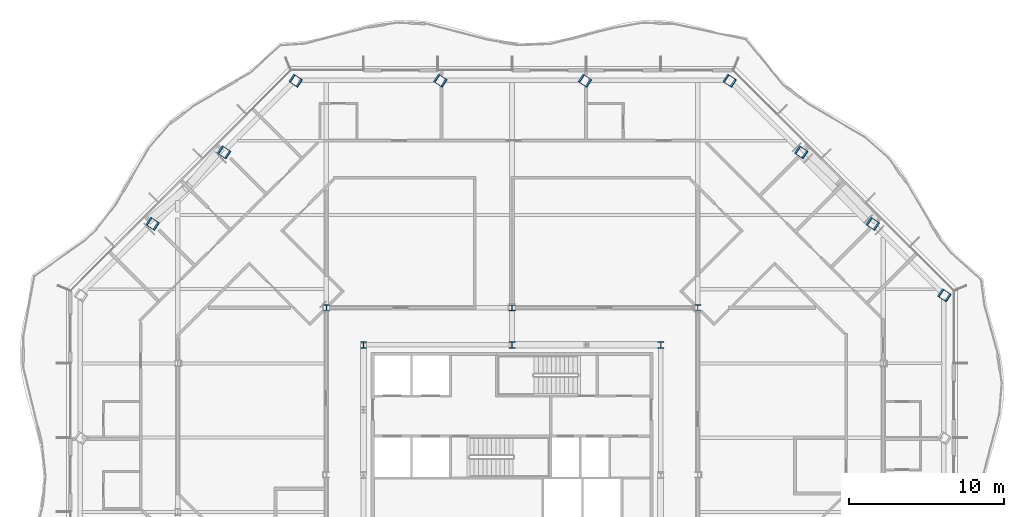
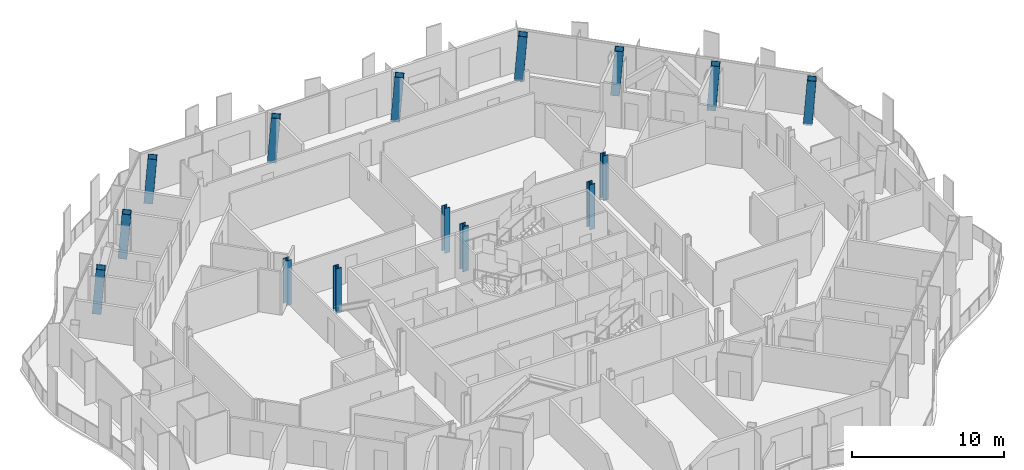
# One storey, part 2 of 21: 15 columns.
"""IFC4 building model written with IfcOpenShell, lengths in metres."""

import ifcopenshell
import ifcopenshell.guid

model = None  # the IFC model being written
_history = None  # IfcOwnerHistory: only IFC2X3 demands one
_inside = {}  # id of a spatial element -> (the spatial element, [elements in it])
_under = {}  # id of a project, library or spatial element -> (it, [spatial elements below it])
_declared = {}  # id of a project -> (the project, [libraries it declares])
_typed = {}  # id of a type object -> (the type object, [elements of that type])
_made_of = {}  # id of a material, layer set ... -> (it, [elements and type objects made of it])


def new_model(schema):
    """Start an empty IFC model of exactly this schema.

    Asked for "IFC4X3", IfcOpenShell would pick the latest addendum, in which some entities
    have other attributes; the version numbers below select the first issue.
    IFC2X3 requires an IfcOwnerHistory on every rooted entity: one is made here for all.
    """
    global model, _history
    if schema == "IFC4X3":
        model = ifcopenshell.file(schema_version=(4, 3, 0, 0))
    else:
        model = ifcopenshell.file(schema=schema)
    _inside.clear()
    _under.clear()
    _declared.clear()
    _typed.clear()
    _made_of.clear()
    _history = None
    if model.schema == "IFC2X3":
        org = make("IfcOrganization", Name="unknown")
        user = make(
            "IfcPersonAndOrganization",
            ThePerson=make("IfcPerson", FamilyName="unknown"),
            TheOrganization=org,
        )
        app = make(
            "IfcApplication",
            ApplicationDeveloper=org,
            Version="unknown",
            ApplicationFullName="unknown",
            ApplicationIdentifier="unknown",
        )
        _history = make(
            "IfcOwnerHistory",
            OwningUser=user,
            OwningApplication=app,
            ChangeAction="ADDED",
            CreationDate=0,
        )
    return model


def make(cls, **values):
    """One entity of the class cls with the attributes given. An attribute that is None is left unset."""
    return model.create_entity(
        cls, **{name: value for name, value in values.items() if value is not None}
    )


def rooted(cls, **values):
    """An entity with a GlobalId (a new one), such as an element, a storey or a relation."""
    return make(cls, GlobalId=ifcopenshell.guid.new(), OwnerHistory=_history, **values)


def si_unit(unit_type, name, prefix=None):
    """IfcSIUnit, for example si_unit("LENGTHUNIT", "METRE", prefix="MILLI")."""
    return make("IfcSIUnit", UnitType=unit_type, Prefix=prefix, Name=name)


def assignment(units):
    """IfcUnitAssignment: the units of a project."""
    return None if units is None else make("IfcUnitAssignment", Units=units)


def point(xyz):
    """IfcCartesianPoint."""
    return None if xyz is None else make("IfcCartesianPoint", Coordinates=xyz)


def direction(xyz):
    """IfcDirection."""
    return None if xyz is None else make("IfcDirection", DirectionRatios=xyz)


def frame(location, z_axis=None, x_axis=None):
    """IfcAxis2Placement3D, a coordinate frame: its origin and axes. An axis left out is left unset."""
    return make(
        "IfcAxis2Placement3D",
        Location=point(location),
        Axis=direction(z_axis),
        RefDirection=direction(x_axis),
    )


def frame_2d(location, x_axis=None):
    """IfcAxis2Placement2D, a coordinate frame in the plane: its origin and x axis."""
    return make(
        "IfcAxis2Placement2D", Location=point(location), RefDirection=direction(x_axis)
    )


def origin():
    """The frame at (0, 0, 0) with its axes left unset."""
    return frame((0.0, 0.0, 0.0))


def origin_2d():
    """The frame at (0, 0) in the plane with its x axis left unset."""
    return frame_2d((0.0, 0.0))


def place(relative_to, where):
    """IfcLocalPlacement: puts the frame where relative to a parent placement (None: the world)."""
    return make(
        "IfcLocalPlacement", PlacementRelTo=relative_to, RelativePlacement=where
    )


def context(
    kind, dimensions, precision=None, world=None, true_north=None, identifier=None
):
    """IfcGeometricRepresentationContext, for example the 3D "Model" context."""
    return make(
        "IfcGeometricRepresentationContext",
        ContextIdentifier=identifier,
        ContextType=kind,
        CoordinateSpaceDimension=dimensions,
        Precision=precision,
        WorldCoordinateSystem=world,
        TrueNorth=true_north,
    )


def subcontext(parent, identifier, kind, view, scale=None):
    """IfcGeometricRepresentationSubContext, for example "Body" below "Model"."""
    return make(
        "IfcGeometricRepresentationSubContext",
        ContextIdentifier=identifier,
        ContextType=kind,
        ParentContext=parent,
        TargetScale=scale,
        TargetView=view,
    )


def project(units=None, contexts=None):
    """IfcProject with its units and contexts."""
    return rooted(
        "IfcProject",
        Name="project",
        RepresentationContexts=contexts,
        UnitsInContext=assignment(units),
    )


def spatial(cls, under=None, at=None, **own):
    """A site, building, storey or space (cls), placed at a placement, below another one or the project."""
    s = rooted(cls, ObjectPlacement=at, **own)
    if under is not None:
        _under.setdefault(under.id(), (under, []))[1].append(s)
    return s


def profile(cls, at=None, kind="AREA", **sizes):
    """A parametric profile (cls). Its sizes go by their IFC names, for example OverallWidth=200.0."""
    return make(cls, ProfileType=kind, Position=at, **sizes)


def hollow_rectangle(**sizes):
    """IfcRectangleHollowProfileDef."""
    return profile("IfcRectangleHollowProfileDef", **sizes)


def i_section(**sizes):
    """IfcIShapeProfileDef."""
    return profile("IfcIShapeProfileDef", **sizes)


def extrude(swept, where, along, depth):
    """IfcExtrudedAreaSolid: the profile swept, set in the frame where, extruded along a direction by depth."""
    return make(
        "IfcExtrudedAreaSolid",
        SweptArea=swept,
        Position=where,
        ExtrudedDirection=direction(along),
        Depth=depth,
    )


def clip(a, b, op="DIFFERENCE"):
    """IfcBooleanClippingResult: the solid a cut by the half space b."""
    return make(
        "IfcBooleanClippingResult", Operator=op, FirstOperand=a, SecondOperand=b
    )


def halfspace(plane, agree):
    """IfcHalfSpaceSolid: all space on one side of the plane z = 0 of the frame plane."""
    return make(
        "IfcHalfSpaceSolid",
        BaseSurface=make("IfcPlane", Position=plane),
        AgreementFlag=agree,
    )


def shape(context_of_items, identifier, shape_type, items):
    """IfcShapeRepresentation: the items that make up one representation, for example the "Body"."""
    return make(
        "IfcShapeRepresentation",
        ContextOfItems=context_of_items,
        RepresentationIdentifier=identifier,
        RepresentationType=shape_type,
        Items=items,
    )


def material(Name=None, Category=None):
    """IfcMaterial."""
    return make("IfcMaterial", Name=Name, Category=Category)


def material_profile(
    of_material, cross_section, Name=None, Category=None, Priority=None
):
    """IfcMaterialProfile: a cross section and its material."""
    return make(
        "IfcMaterialProfile",
        Name=Name,
        Material=of_material,
        Profile=cross_section,
        Priority=Priority,
        Category=Category,
    )


def profile_set(profiles, Name=None, composite=None):
    """IfcMaterialProfileSet."""
    return make(
        "IfcMaterialProfileSet",
        Name=Name,
        MaterialProfiles=profiles,
        CompositeProfile=composite,
    )


def made_of(thing, what):
    """Note that an element or type object is made of a material, layer set ...; save() writes the relation."""
    if what is not None:
        _made_of.setdefault(what.id(), (what, []))[1].append(thing)
    return thing


def type_object(cls, material=None, **own):
    """A type object (cls), such as IfcWallType, which elements share."""
    return made_of(rooted(cls, **own), material)


def element(
    cls,
    number,
    at=None,
    inside=None,
    cuts=None,
    type_object=None,
    material=None,
    context=None,
    identifier="Body",
    shape_type=None,
    held_by="IfcProductDefinitionShape",
    body=None,
    shapes=None,
    **own,
):
    """One element of the class cls, such as IfcWall. Its Tag is "e" and its number.

    at: its placement. inside: the storey or other place that contains it. cuts: it is an
    opening in that element (IfcRelVoidsElement). A single representation is given by context,
    identifier, shape_type and body (its items); several are given by shapes. held_by: the class
    of the entity that holds the representations. save() writes the other relations.
    """
    e = rooted(cls, Tag="e%d" % number, ObjectPlacement=at, **own)
    if body is not None:
        shapes = [shape(context, identifier, shape_type, body)]
    if shapes is not None:
        e.Representation = make(held_by, Representations=shapes)
    if inside is not None:
        _inside.setdefault(inside.id(), (inside, []))[1].append(e)
    if cuts is not None:
        rooted(
            "IfcRelVoidsElement", RelatingBuildingElement=cuts, RelatedOpeningElement=e
        )
    if type_object is not None:
        _typed.setdefault(type_object.id(), (type_object, []))[1].append(e)
    return made_of(e, material)


def aggregate(whole, parts):
    """IfcRelAggregates: a whole, such as a stair, and the parts it consists of."""
    return rooted("IfcRelAggregates", RelatingObject=whole, RelatedObjects=parts)


def save(model, path):
    """Write the relations noted so far, then the file.

    IfcRelAggregates (storeys below a building ...), IfcRelContainedInSpatialStructure (elements
    in a storey), IfcRelDefinesByType, IfcRelAssociatesMaterial and IfcRelDeclares: one each for
    every whole, place, type object, material and project.
    """
    for whole, parts in _under.values():
        aggregate(whole, parts)
    for where, things in _inside.values():
        rooted(
            "IfcRelContainedInSpatialStructure",
            RelatedElements=things,
            RelatingStructure=where,
        )
    for kind, things in _typed.values():
        rooted("IfcRelDefinesByType", RelatedObjects=things, RelatingType=kind)
    for what, things in _made_of.values():
        rooted("IfcRelAssociatesMaterial", RelatedObjects=things, RelatingMaterial=what)
    for by, libraries in _declared.values():
        rooted("IfcRelDeclares", RelatingContext=by, RelatedDefinitions=libraries)
    model.write(path)


model = new_model("IFC4")

# Units and contexts
model_context = context("Model", 3, precision=1e-05, world=origin(), true_north=direction((0.0, 1.0)))
body_context = subcontext(model_context, "Body", "Model", "MODEL_VIEW")
ifc_project = project(units=[si_unit("LENGTHUNIT", "METRE"), si_unit("AREAUNIT", "SQUARE_METRE"), si_unit("VOLUMEUNIT", "CUBIC_METRE"), si_unit("PLANEANGLEUNIT", "RADIAN"), si_unit("MASSUNIT", "GRAM", prefix="KILO")], contexts=[model_context])

# Site, building, storey
site_placement = place(None, origin())
site = spatial("IfcSite", under=ifc_project, at=site_placement, CompositionType="ELEMENT")
building_placement = place(site_placement, origin())
building = spatial("IfcBuilding", under=site, at=building_placement, Name="Cairn Pilgrim Tower", CompositionType="ELEMENT")
storey_placement = place(building_placement, frame((0.0, 0.0, 172.199951171875)))
storey = spatial("IfcBuildingStorey", under=building, at=storey_placement, Name="L43", CompositionType="ELEMENT", Elevation=172.199951171875)

# Columns
ifc_material_1 = material(Name="Structural steel S460M", Category="steel")
ifc_material_profile_1 = material_profile(ifc_material_1, hollow_rectangle(XDim=0.60009765625, YDim=0.60009765625, WallThickness=0.034912109375, at=origin_2d()), Name="BOX 600x600x35")
ifc_profile_set_1 = profile_set([ifc_material_profile_1], Name="Structural steel S460M")
column_type_1 = type_object("IfcColumnType", Name="BOX 600x600x35", PredefinedType="COLUMN", material=ifc_profile_set_1)
column_1_placement = place(storey_placement, frame((35.10009765625, 14.027099609375, -0.14990234375), z_axis=(0.062286590776, -0.041524393851, 0.99719411617), x_axis=(0.554700196225, 0.832050294338, 0.0)))
element("IfcColumn", 1, at=column_1_placement, inside=storey, type_object=column_type_1, Name="PC2-NE1", PredefinedType="COLUMN", context=body_context, shape_type="Clipping", body=[
    clip(clip(extrude(hollow_rectangle(XDim=0.60009765625, YDim=0.60009765625, WallThickness=0.034912109375, at=origin_2d()), origin(), (0.0, 0.0, 1.0), 3.60986328125), halfspace(frame((0.0, 0.0, 0.01123046875), z_axis=(0.0, 0.0, 1.0), x_axis=(1.0, 0.0, 0.0)), True)), halfspace(frame((0.0, 0.0, 3.587890625), z_axis=(0.0, 0.0, 1.0), x_axis=(1.0, 0.0, 0.0)), False)),
])
column_2_placement = place(storey_placement, frame((30.4755859375, 18.651611328125, -0.14990234375), z_axis=(0.062353782033, -0.041591730966, 0.997187110718), x_axis=(0.554908399644, 0.831911454426, 0.0)))
element("IfcColumn", 2, at=column_2_placement, inside=storey, type_object=column_type_1, Name="PC2-NE2", PredefinedType="COLUMN", context=body_context, shape_type="Clipping", body=[
    clip(clip(extrude(hollow_rectangle(XDim=0.60009765625, YDim=0.60009765625, WallThickness=0.034912109375, at=origin_2d()), origin(), (0.0, 0.0, 1.0), 3.610107421875), halfspace(frame((0.0, 0.0, 0.01123046875), z_axis=(0.0, 0.0, 1.0), x_axis=(1.0, 0.0, 0.0)), True)), halfspace(frame((0.0, 0.0, 3.587890625), z_axis=(0.0, 0.0, 1.0), x_axis=(1.0, 0.0, 0.0)), False)),
])
for number, where, z_axis, x_axis, name in (
    (3, (25.8515625, 23.275634765625, -0.14990234375), (0.062286590776, -0.041524393851, 0.99719411617), (0.554700196225, 0.832050294338, 0.0), "PC2-NE3"),
    (4, (21.227294921875, 27.89990234375, -0.14990234375), (0.062286590776, -0.041524393851, 0.99719411617), (0.554700196225, 0.832050294338, 0.0), "PC2-N1"),
    (5, (11.875732421875, 27.89990234375, -0.14990234375), (0.062286590776, -0.041524393851, 0.99719411617), (0.554700196225, 0.832050294338, 0.0), "PC2-N2"),
    (6, (2.5244140625, 27.89990234375, -0.14990234375), (0.062286590776, -0.041524393851, 0.99719411617), (0.554700196225, 0.832050294338, 0.0), "PC2-N3"),
    (7, (-6.8271484375, 27.89990234375, -0.14990234375), (0.062286590776, -0.041524393851, 0.99719411617), (0.554700196225, 0.832050294338, 0.0), "PC2-NW1"),
    (8, (-11.451416015625, 23.275634765625, -0.14990234375), (0.062286590776, -0.041524393851, 0.99719411617), (0.554700196225, 0.832050294338, 0.0), "PC2-NW2"),
):
    element("IfcColumn", number, at=place(storey_placement, frame(where, z_axis=z_axis, x_axis=x_axis)), inside=storey, type_object=column_type_1, Name=name, PredefinedType="COLUMN", context=body_context, shape_type="Clipping", body=[
        clip(clip(extrude(hollow_rectangle(XDim=0.60009765625, YDim=0.60009765625, WallThickness=0.034912109375, at=origin_2d()), origin(), (0.0, 0.0, 1.0), 3.60986328125), halfspace(frame((0.0, 0.0, 0.01123046875), z_axis=(0.0, 0.0, 1.0), x_axis=(1.0, 0.0, 0.0)), True)), halfspace(frame((0.0, 0.0, 3.587890625), z_axis=(0.0, 0.0, 1.0), x_axis=(1.0, 0.0, 0.0)), False)),
    ])
column_3_placement = place(storey_placement, frame((-16.07568359375, 18.651611328125, -0.14990234375), z_axis=(0.062353782033, -0.041591730966, 0.997187110718), x_axis=(0.554908399644, 0.831911454426, 0.0)))
element("IfcColumn", 9, at=column_3_placement, inside=storey, type_object=column_type_1, Name="PC2-NW3", PredefinedType="COLUMN", context=body_context, shape_type="Clipping", body=[
    clip(clip(extrude(hollow_rectangle(XDim=0.60009765625, YDim=0.60009765625, WallThickness=0.034912109375, at=origin_2d()), origin(), (0.0, 0.0, 1.0), 3.610107421875), halfspace(frame((0.0, 0.0, 0.01123046875), z_axis=(0.0, 0.0, 1.0), x_axis=(1.0, 0.0, 0.0)), True)), halfspace(frame((0.0, 0.0, 3.587890625), z_axis=(0.0, 0.0, 1.0), x_axis=(1.0, 0.0, 0.0)), False)),
])
ifc_material_2 = material(Name="Structural steel S355J2", Category="steel")
ifc_material_profile_2 = material_profile(ifc_material_2, i_section(OverallWidth=0.39892578125, OverallDepth=0.39306640625, WebThickness=0.022705078125, FlangeThickness=0.03662109375, FilletRadius=0.014892578125, at=origin_2d()), Name="HD 400x287")
ifc_profile_set_2 = profile_set([ifc_material_profile_2], Name="Structural steel S355J2")
column_type_2 = type_object("IfcColumnType", Name="HD 400x287", PredefinedType="COLUMN", material=ifc_profile_set_2)
for number, where, z_axis, x_axis, name in (
    (10, (-4.800048828125, 13.199951171875, -0.14990234375), (0.0, 0.0, 1.0), (1.0, 0.0, 0.0), "IC-6"),
    (11, (7.199951171875, 13.199951171875, -0.14990234375), (0.0, 0.0, 1.0), (1.0, 0.0, 0.0), "IC-7"),
    (12, (19.199951171875, 13.199951171875, -0.14990234375), (0.0, 0.0, 1.0), (1.0, 0.0, 0.0), "IC-8"),
):
    element("IfcColumn", number, at=place(storey_placement, frame(where, z_axis=z_axis, x_axis=x_axis)), inside=storey, type_object=column_type_2, Name=name, PredefinedType="COLUMN", context=body_context, shape_type="SweptSolid", body=[
        extrude(i_section(OverallWidth=0.39892578125, OverallDepth=0.39306640625, WebThickness=0.022705078125, FlangeThickness=0.03662109375, FilletRadius=0.014892578125, at=origin_2d()), origin(), (0.0, 0.0, 1.0), 3.599853515625),
    ])
ifc_material_profile_3 = material_profile(ifc_material_1, i_section(OverallWidth=0.416015625, OverallDepth=0.446044921875, WebThickness=0.0390625, FlangeThickness=0.062744140625, FilletRadius=0.014892578125, at=origin_2d()), Name="HD 400x509")
ifc_profile_set_3 = profile_set([ifc_material_profile_3], Name="Structural steel S460M")
column_type_3 = type_object("IfcColumnType", Name="HD 400x509", PredefinedType="COLUMN", material=ifc_profile_set_3)
for number, where, z_axis, x_axis, name in (
    (13, (-2.39990234375, 10.800048828125, -0.14990234375), (0.0, 0.0, 1.0), (1.0, 0.0, 0.0), "KC-6"),
    (14, (7.199951171875, 10.800048828125, -0.14990234375), (0.0, 0.0, 1.0), (1.0, 0.0, 0.0), "KC-7"),
    (15, (16.800048828125, 10.800048828125, -0.14990234375), (0.0, 0.0, 1.0), (1.0, 0.0, 0.0), "KC-8"),
):
    element("IfcColumn", number, at=place(storey_placement, frame(where, z_axis=z_axis, x_axis=x_axis)), inside=storey, type_object=column_type_3, Name=name, PredefinedType="COLUMN", context=body_context, shape_type="SweptSolid", body=[
        extrude(i_section(OverallWidth=0.416015625, OverallDepth=0.446044921875, WebThickness=0.0390625, FlangeThickness=0.062744140625, FilletRadius=0.014892578125, at=origin_2d()), origin(), (0.0, 0.0, 1.0), 3.599853515625),
    ])

save(model, "model.ifc")
